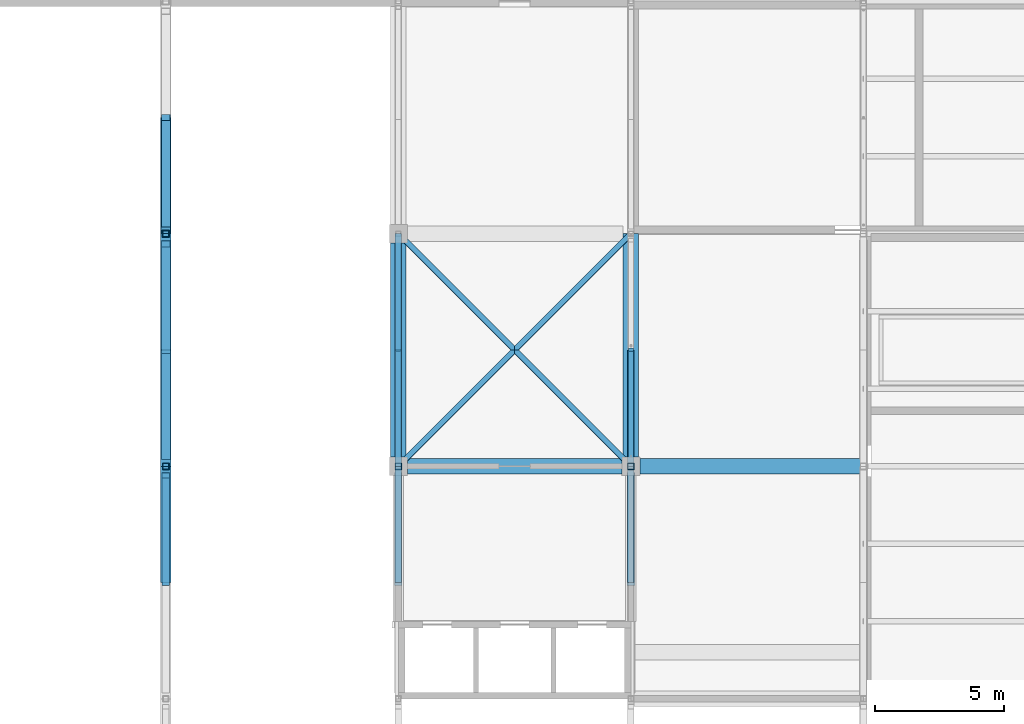
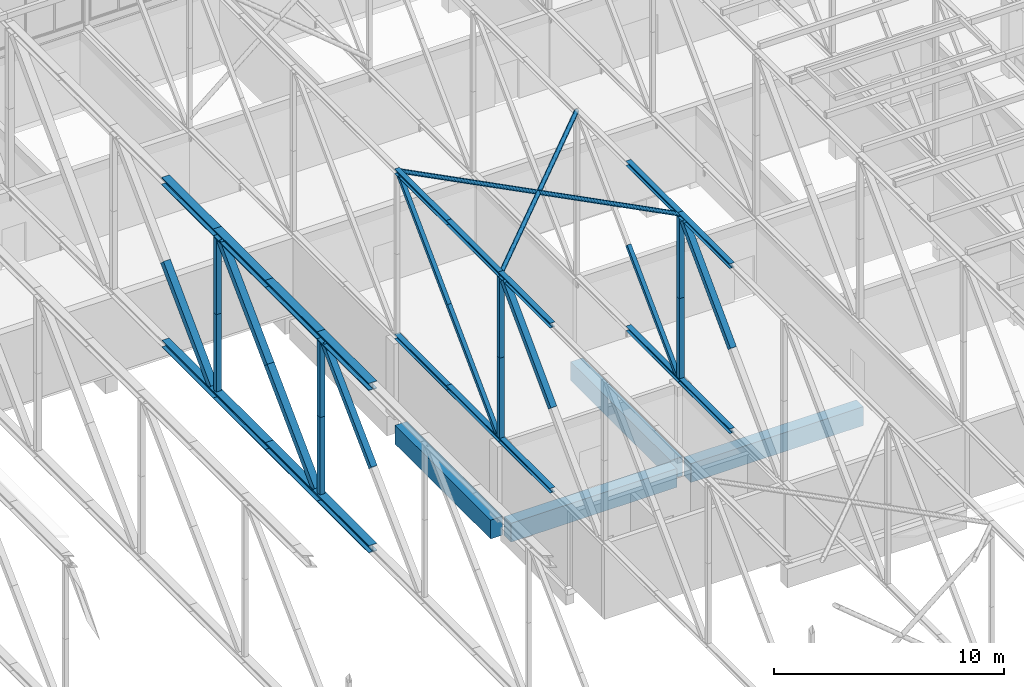
# One storey, part 78 of 646: 39 members, 4 beams.
"""IFC4 building model written with IfcOpenShell, lengths in metres."""

from ifc_helpers import new_model, si_unit, direction, frame, origin, origin_2d, place, context, subcontext, project, spatial, rectangle, hollow_rectangle, hollow_circle, i_section, extrude, material, material_profile, profile_set, type_object, element, save


model = new_model("IFC4")

# Units and contexts
model_context = context("Model", 3, precision=1e-05, world=origin(), true_north=direction((0.0, 1.0)))
body_context = subcontext(model_context, "Body", "Model", "MODEL_VIEW")
ifc_project = project(units=[si_unit("LENGTHUNIT", "METRE"), si_unit("AREAUNIT", "SQUARE_METRE"), si_unit("VOLUMEUNIT", "CUBIC_METRE"), si_unit("PLANEANGLEUNIT", "RADIAN"), si_unit("MASSUNIT", "GRAM", prefix="KILO")], contexts=[model_context])

# Site, building, storey
site_placement = place(None, origin())
site = spatial("IfcSite", under=ifc_project, at=site_placement, CompositionType="ELEMENT")
building_placement = place(site_placement, origin())
building = spatial("IfcBuilding", under=site, at=building_placement, Name="Silverbay Arena", CompositionType="ELEMENT")
storey_placement = place(building_placement, frame((0.0, 0.0, 33.5)))
storey = spatial("IfcBuildingStorey", under=building, at=storey_placement, Name="L05", CompositionType="ELEMENT", Elevation=33.5)

# Members
ifc_material_1 = material(Name="Steel S355", Category="steel")
ifc_material_profile_1 = material_profile(ifc_material_1, i_section(OverallWidth=0.37255859375, OverallDepth=0.3681640625, WebThickness=0.014404296875, FlangeThickness=0.023681640625, at=origin_2d()), Name="UC 356x368x177")
ifc_profile_set_1 = profile_set([ifc_material_profile_1], Name="Steel S355")
member_type_1 = type_object("IfcMemberType", Name="Main-span bottom chord UC 356x368x177", PredefinedType="CHORD", material=ifc_profile_set_1)
member_1_placement = place(storey_placement, frame((153.0, 117.0, 4.18408203125), z_axis=(0.0, 1.0, 0.0), x_axis=(-1.0, 0.0, 0.0)))
element("IfcMember", 1, at=member_1_placement, inside=storey, type_object=member_type_1, Name="ROOF TRUSS 18 bottom chord 13a", PredefinedType="CHORD", context=body_context, shape_type="SweptSolid", body=[
    extrude(i_section(OverallWidth=0.37255859375, OverallDepth=0.3681640625, WebThickness=0.014404296875, FlangeThickness=0.023681640625, at=origin_2d()), origin(), (0.0, 0.0, 1.0), 4.5),
])
ifc_material_2 = material(Name="Steel S355", Category="steel")
ifc_material_profile_2 = material_profile(ifc_material_2, i_section(OverallWidth=0.403076171875, OverallDepth=0.406494140625, WebThickness=0.026611328125, FlangeThickness=0.04296875, at=origin_2d()), Name="UC 356x406x340")
ifc_profile_set_2 = profile_set([ifc_material_profile_2], Name="Steel S355")
member_type_2 = type_object("IfcMemberType", Name="Main-span bottom chord UC 356x406x340", PredefinedType="CHORD", material=ifc_profile_set_2)
for number, where, z_axis, x_axis, name in (
    (2, (153.0, 103.5, 4.203125), (0.0, 1.0, 0.0), (-1.0, 0.0, 0.0), "ROOF TRUSS 18 bottom chord 11b"),
    (3, (153.0, 108.0, 4.203125), (0.0, 1.0, 0.0), (-1.0, 0.0, 0.0), "ROOF TRUSS 18 bottom chord 12a"),
    (4, (153.0, 112.5, 4.203125), (0.0, 1.0, 0.0), (-1.0, 0.0, 0.0), "ROOF TRUSS 18 bottom chord 12b"),
):
    element("IfcMember", number, at=place(storey_placement, frame(where, z_axis=z_axis, x_axis=x_axis)), inside=storey, type_object=member_type_2, Name=name, PredefinedType="CHORD", context=body_context, shape_type="SweptSolid", body=[
        extrude(i_section(OverallWidth=0.403076171875, OverallDepth=0.406494140625, WebThickness=0.026611328125, FlangeThickness=0.04296875, at=origin_2d()), origin(), (0.0, 0.0, 1.0), 4.5),
    ])
ifc_material_3 = material(Name="Steel S355", Category="steel")
ifc_material_profile_3 = material_profile(ifc_material_3, i_section(OverallWidth=0.39892578125, OverallDepth=0.3935546875, WebThickness=0.022705078125, FlangeThickness=0.03662109375, at=origin_2d()), Name="UC 356x406x287")
ifc_profile_set_3 = profile_set([ifc_material_profile_3], Name="Steel S355")
member_type_3 = type_object("IfcMemberType", Name="Main-span top chord UC 356x406x287", PredefinedType="CHORD", material=ifc_profile_set_3)
member_2_placement = place(storey_placement, frame((153.0, 117.0, 12.80322265625), z_axis=(0.0, 1.0, 0.0), x_axis=(-1.0, 0.0, 0.0)))
element("IfcMember", 5, at=member_2_placement, inside=storey, type_object=member_type_3, Name="ROOF TRUSS 18 top chord 13a", PredefinedType="CHORD", context=body_context, shape_type="SweptSolid", body=[
    extrude(i_section(OverallWidth=0.39892578125, OverallDepth=0.3935546875, WebThickness=0.022705078125, FlangeThickness=0.03662109375, at=origin_2d()), origin(), (0.0, 0.0, 1.0), 4.5),
])
ifc_material_4 = material(Name="Steel S355", Category="steel")
ifc_material_profile_4 = material_profile(ifc_material_4, i_section(OverallWidth=0.403076171875, OverallDepth=0.406494140625, WebThickness=0.026611328125, FlangeThickness=0.04296875, at=origin_2d()), Name="UC 356x406x340")
ifc_profile_set_4 = profile_set([ifc_material_profile_4], Name="Steel S355")
member_type_4 = type_object("IfcMemberType", Name="Main-span top chord UC 356x406x340", PredefinedType="CHORD", material=ifc_profile_set_4)
for number, where, z_axis, x_axis, name in (
    (6, (153.0, 103.5, 12.796875), (0.0, 1.0, 0.0), (-1.0, 0.0, 0.0), "ROOF TRUSS 18 top chord 11b"),
    (7, (153.0, 108.0, 12.796875), (0.0, 1.0, 0.0), (-1.0, 0.0, 0.0), "ROOF TRUSS 18 top chord 12a"),
    (8, (153.0, 112.5, 12.796875), (0.0, 1.0, 0.0), (-1.0, 0.0, 0.0), "ROOF TRUSS 18 top chord 12b"),
):
    element("IfcMember", number, at=place(storey_placement, frame(where, z_axis=z_axis, x_axis=x_axis)), inside=storey, type_object=member_type_4, Name=name, PredefinedType="CHORD", context=body_context, shape_type="SweptSolid", body=[
        extrude(i_section(OverallWidth=0.403076171875, OverallDepth=0.406494140625, WebThickness=0.026611328125, FlangeThickness=0.04296875, at=origin_2d()), origin(), (0.0, 0.0, 1.0), 4.5),
    ])
ifc_material_5 = material(Name="Steel S355", Category="steel")
ifc_material_profile_5 = material_profile(ifc_material_5, hollow_rectangle(XDim=0.300048828125, YDim=0.300048828125, WallThickness=0.012451171875, at=origin_2d()), Name="SHS 300x300x12.5")
ifc_profile_set_5 = profile_set([ifc_material_profile_5], Name="Steel S355")
member_type_5 = type_object("IfcMemberType", Name="Main-span truss diagonal SHS 300x300x12.5", PredefinedType="BRACE", material=ifc_profile_set_5)
member_3_placement = place(storey_placement, frame((153.0, 107.652099609375, 12.593505859375), z_axis=(0.0, -0.712752446816, -0.701415675301), x_axis=(1.0, 0.0, 0.0)))
element("IfcMember", 9, at=member_3_placement, inside=storey, type_object=member_type_5, Name="ROOF TRUSS 18 diagonal 11a", PredefinedType="BRACE", context=body_context, shape_type="SweptSolid", body=[
    extrude(hollow_rectangle(XDim=0.300048828125, YDim=0.300048828125, WallThickness=0.012451171875, at=origin_2d()), origin(), (0.0, 0.0, 1.0), 5.836181640625),
])
ifc_material_6 = material(Name="Steel S355", Category="steel")
ifc_material_profile_6 = material_profile(ifc_material_6, hollow_rectangle(XDim=0.35009765625, YDim=0.35009765625, WallThickness=0.012451171875, at=origin_2d()), Name="SHS 350x350x12.5")
ifc_profile_set_6 = profile_set([ifc_material_profile_6], Name="Steel S355")
member_type_6 = type_object("IfcMemberType", Name="Main-span truss diagonal SHS 350x350x12.5", PredefinedType="BRACE", material=ifc_profile_set_6)
for number, where, z_axis, x_axis, name in (
    (10, (153.0, 116.60986328125, 12.593505859375), (0.0, -0.708724844097, -0.705485007182), (1.0, 0.0, 0.0), "ROOF TRUSS 18 diagonal 12a"),
    (11, (153.0, 112.49755859375, 8.5), (0.0, -0.708745784671, -0.705463969818), (1.0, 0.0, 0.0), "ROOF TRUSS 18 diagonal 12b"),
):
    element("IfcMember", number, at=place(storey_placement, frame(where, z_axis=z_axis, x_axis=x_axis)), inside=storey, type_object=member_type_6, Name=name, PredefinedType="BRACE", context=body_context, shape_type="SweptSolid", body=[
        extrude(hollow_rectangle(XDim=0.35009765625, YDim=0.35009765625, WallThickness=0.012451171875, at=origin_2d()), origin(), (0.0, 0.0, 1.0), 5.802490234375),
    ])
ifc_material_7 = material(Name="Steel S355", Category="steel")
ifc_material_profile_7 = material_profile(ifc_material_7, hollow_rectangle(XDim=0.35009765625, YDim=0.35009765625, WallThickness=0.01416015625, at=origin_2d()), Name="SHS 350x350x14.2")
ifc_profile_set_7 = profile_set([ifc_material_profile_7], Name="Steel S355")
member_type_7 = type_object("IfcMemberType", Name="Main-span truss diagonal SHS 350x350x14.2", PredefinedType="BRACE", material=ifc_profile_set_7)
member_4_placement = place(storey_placement, frame((153.0, 121.5, 8.4873046875), z_axis=(0.0, -0.706393232016, -0.707819611033), x_axis=(1.0, 0.0, 0.0)))
element("IfcMember", 12, at=member_4_placement, inside=storey, type_object=member_type_7, Name="ROOF TRUSS 18 diagonal 13b", PredefinedType="BRACE", context=body_context, shape_type="SweptSolid", body=[
    extrude(hollow_rectangle(XDim=0.35009765625, YDim=0.35009765625, WallThickness=0.01416015625, at=origin_2d()), origin(), (0.0, 0.0, 1.0), 5.819580078125),
])
ifc_material_8 = material(Name="Steel S355", Category="steel")
ifc_material_profile_8 = material_profile(ifc_material_8, hollow_rectangle(XDim=0.25, YDim=0.25, WallThickness=0.010009765625, at=origin_2d()), Name="SHS 250x250x10")
ifc_profile_set_8 = profile_set([ifc_material_profile_8], Name="Steel S355")
member_type_8 = type_object("IfcMemberType", Name="Main-span truss vertical SHS 250x250x10", PredefinedType="STRUT", material=ifc_profile_set_8)
for number, where, z_axis, x_axis, name in (
    (13, (153.0, 108.0, 4.406494140625), (0.0, 0.0, 1.0), (1.0, 0.0, 0.0), "ROOF TRUSS 18 vertical 12a"),
    (14, (153.0, 108.0, 8.5), (0.0, 0.0, 1.0), (1.0, 0.0, 0.0), "ROOF TRUSS 18 vertical 12b"),
):
    element("IfcMember", number, at=place(storey_placement, frame(where, z_axis=z_axis, x_axis=x_axis)), inside=storey, type_object=member_type_8, Name=name, PredefinedType="STRUT", context=body_context, shape_type="SweptSolid", body=[
        extrude(hollow_rectangle(XDim=0.25, YDim=0.25, WallThickness=0.010009765625, at=origin_2d()), origin(), (0.0, 0.0, 1.0), 4.093505859375),
    ])
ifc_material_9 = material(Name="Steel S355", Category="steel")
ifc_material_profile_9 = material_profile(ifc_material_9, hollow_rectangle(XDim=0.260009765625, YDim=0.260009765625, WallThickness=0.010009765625, at=origin_2d()), Name="SHS 260x260x10")
ifc_profile_set_9 = profile_set([ifc_material_profile_9], Name="Steel S355")
member_type_9 = type_object("IfcMemberType", Name="Main-span truss vertical SHS 260x260x10", PredefinedType="STRUT", material=ifc_profile_set_9)
for number, where, z_axis, x_axis, name in (
    (15, (153.0, 117.0, 4.406494140625), (0.0, 0.0, 1.0), (1.0, 0.0, 0.0), "ROOF TRUSS 18 vertical 13a"),
    (16, (153.0, 117.0, 8.5), (0.0, 0.0, 1.0), (1.0, 0.0, 0.0), "ROOF TRUSS 18 vertical 13b"),
):
    element("IfcMember", number, at=place(storey_placement, frame(where, z_axis=z_axis, x_axis=x_axis)), inside=storey, type_object=member_type_9, Name=name, PredefinedType="STRUT", context=body_context, shape_type="SweptSolid", body=[
        extrude(hollow_rectangle(XDim=0.260009765625, YDim=0.260009765625, WallThickness=0.010009765625, at=origin_2d()), origin(), (0.0, 0.0, 1.0), 4.093505859375),
    ])
ifc_material_10 = material(Name="Steel S355", Category="steel")
ifc_material_profile_10 = material_profile(ifc_material_10, i_section(OverallWidth=0.254638671875, OverallDepth=0.254150390625, WebThickness=0.008544921875, FlangeThickness=0.01416015625, at=origin_2d()), Name="UC 254x254x73")
ifc_profile_set_10 = profile_set([ifc_material_profile_10], Name="Steel S355")
member_type_10 = type_object("IfcMemberType", Name="Medium-span bottom chord UC 254x254x73", PredefinedType="CHORD", material=ifc_profile_set_10)
for number, where, z_axis, x_axis, name in (
    (17, (162.0, 103.5, 4.126953125), (0.0, 1.0, 0.0), (-1.0, 0.0, 0.0), "ROOF TRUSS 19 bottom chord 11b"),
    (18, (162.0, 108.0, 4.126953125), (0.0, 1.0, 0.0), (-1.0, 0.0, 0.0), "ROOF TRUSS 19 bottom chord 12a"),
    (19, (162.0, 112.5, 4.126953125), (0.0, 1.0, 0.0), (-1.0, 0.0, 0.0), "ROOF TRUSS 19 bottom chord 12b"),
    (20, (171.0, 103.5, 4.126953125), (0.0, 1.0, 0.0), (-1.0, 0.0, 0.0), "ROOF TRUSS 20 bottom chord 11b"),
    (21, (171.0, 108.0, 4.126953125), (0.0, 1.0, 0.0), (-1.0, 0.0, 0.0), "ROOF TRUSS 20 bottom chord 12a"),
):
    element("IfcMember", number, at=place(storey_placement, frame(where, z_axis=z_axis, x_axis=x_axis)), inside=storey, type_object=member_type_10, Name=name, PredefinedType="CHORD", context=body_context, shape_type="SweptSolid", body=[
        extrude(i_section(OverallWidth=0.254638671875, OverallDepth=0.254150390625, WebThickness=0.008544921875, FlangeThickness=0.01416015625, at=origin_2d()), origin(), (0.0, 0.0, 1.0), 4.5),
    ])
ifc_material_11 = material(Name="Steel S355", Category="steel")
ifc_material_profile_11 = material_profile(ifc_material_11, i_section(OverallWidth=0.254638671875, OverallDepth=0.254150390625, WebThickness=0.008544921875, FlangeThickness=0.01416015625, at=origin_2d()), Name="UC 254x254x73")
ifc_profile_set_11 = profile_set([ifc_material_profile_11], Name="Steel S355")
member_type_11 = type_object("IfcMemberType", Name="Medium-span top chord UC 254x254x73", PredefinedType="CHORD", material=ifc_profile_set_11)
for number, where, z_axis, x_axis, name in (
    (22, (162.0, 103.5, 12.873046875), (0.0, 1.0, 0.0), (-1.0, 0.0, 0.0), "ROOF TRUSS 19 top chord 11b"),
    (23, (162.0, 108.0, 12.873046875), (0.0, 1.0, 0.0), (-1.0, 0.0, 0.0), "ROOF TRUSS 19 top chord 12a"),
    (24, (162.0, 112.5, 12.873046875), (0.0, 1.0, 0.0), (-1.0, 0.0, 0.0), "ROOF TRUSS 19 top chord 12b"),
    (25, (171.0, 103.5, 12.873046875), (0.0, 1.0, 0.0), (-1.0, 0.0, 0.0), "ROOF TRUSS 20 top chord 11b"),
    (26, (171.0, 108.0, 12.873046875), (0.0, 1.0, 0.0), (-1.0, 0.0, 0.0), "ROOF TRUSS 20 top chord 12a"),
):
    element("IfcMember", number, at=place(storey_placement, frame(where, z_axis=z_axis, x_axis=x_axis)), inside=storey, type_object=member_type_11, Name=name, PredefinedType="CHORD", context=body_context, shape_type="SweptSolid", body=[
        extrude(i_section(OverallWidth=0.254638671875, OverallDepth=0.254150390625, WebThickness=0.008544921875, FlangeThickness=0.01416015625, at=origin_2d()), origin(), (0.0, 0.0, 1.0), 4.5),
    ])
ifc_material_12 = material(Name="Steel S355", Category="steel")
ifc_material_profile_12 = material_profile(ifc_material_12, hollow_rectangle(XDim=0.199951171875, YDim=0.199951171875, WallThickness=0.008056640625, at=origin_2d()), Name="SHS 200x200x8")
ifc_profile_set_12 = profile_set([ifc_material_profile_12], Name="Steel S355")
member_type_12 = type_object("IfcMemberType", Name="Medium-span truss diagonal SHS 200x200x8", PredefinedType="BRACE", material=ifc_profile_set_12)
for number, where, z_axis, x_axis, name in (
    (27, (162.0, 116.75439453125, 12.745849609375), (0.0, -0.706781281828, -0.707432130778), (1.0, 0.0, 0.0), "ROOF TRUSS 19 diagonal 12a"),
    (28, (162.0, 112.512451171875, 8.5), (0.0, -0.7067609232, -0.707452470091), (1.0, 0.0, 0.0), "ROOF TRUSS 19 diagonal 12b"),
    (29, (171.0, 112.512451171875, 8.5), (0.0, -0.7067609232, -0.707452470091), (1.0, 0.0, 0.0), "ROOF TRUSS 20 diagonal 12b"),
):
    element("IfcMember", number, at=place(storey_placement, frame(where, z_axis=z_axis, x_axis=x_axis)), inside=storey, type_object=member_type_12, Name=name, PredefinedType="BRACE", context=body_context, shape_type="SweptSolid", body=[
        extrude(hollow_rectangle(XDim=0.199951171875, YDim=0.199951171875, WallThickness=0.008056640625, at=origin_2d()), origin(), (0.0, 0.0, 1.0), 6.001708984375),
    ])
ifc_material_13 = material(Name="Steel S355", Category="steel")
ifc_material_profile_13 = material_profile(ifc_material_13, hollow_rectangle(XDim=0.300048828125, YDim=0.300048828125, WallThickness=0.012451171875, at=origin_2d()), Name="SHS 300x300x12.5")
ifc_profile_set_13 = profile_set([ifc_material_profile_13], Name="Steel S355")
member_type_13 = type_object("IfcMemberType", Name="Medium-span truss diagonal SHS 300x300x12.5", PredefinedType="BRACE", material=ifc_profile_set_13)
for number, where, z_axis, x_axis, name in (
    (30, (162.0, 107.656494140625, 12.745849609375), (0.0, -0.700196997117, -0.713949693766), (1.0, 0.0, 0.0), "ROOF TRUSS 19 diagonal 11a"),
    (31, (171.0, 107.656494140625, 12.745849609375), (0.0, -0.700196997117, -0.713949693766), (1.0, 0.0, 0.0), "ROOF TRUSS 20 diagonal 11a"),
):
    element("IfcMember", number, at=place(storey_placement, frame(where, z_axis=z_axis, x_axis=x_axis)), inside=storey, type_object=member_type_13, Name=name, PredefinedType="BRACE", context=body_context, shape_type="SweptSolid", body=[
        extrude(hollow_rectangle(XDim=0.300048828125, YDim=0.300048828125, WallThickness=0.012451171875, at=origin_2d()), origin(), (0.0, 0.0, 1.0), 5.947021484375),
    ])
ifc_material_14 = material(Name="Steel S355", Category="steel")
ifc_material_profile_14 = material_profile(ifc_material_14, hollow_rectangle(XDim=0.25, YDim=0.25, WallThickness=0.010009765625, at=origin_2d()), Name="SHS 250x250x10")
ifc_profile_set_14 = profile_set([ifc_material_profile_14], Name="Steel S355")
member_type_14 = type_object("IfcMemberType", Name="Medium-span truss vertical SHS 250x250x10", PredefinedType="STRUT", material=ifc_profile_set_14)
for number, where, z_axis, x_axis, name in (
    (32, (162.0, 108.0, 4.254150390625), (0.0, 0.0, 1.0), (1.0, 0.0, 0.0), "ROOF TRUSS 19 vertical 12a"),
    (33, (162.0, 108.0, 8.5), (0.0, 0.0, 1.0), (1.0, 0.0, 0.0), "ROOF TRUSS 19 vertical 12b"),
    (34, (171.0, 108.0, 4.254150390625), (0.0, 0.0, 1.0), (1.0, 0.0, 0.0), "ROOF TRUSS 20 vertical 12a"),
    (35, (171.0, 108.0, 8.5), (0.0, 0.0, 1.0), (1.0, 0.0, 0.0), "ROOF TRUSS 20 vertical 12b"),
):
    element("IfcMember", number, at=place(storey_placement, frame(where, z_axis=z_axis, x_axis=x_axis)), inside=storey, type_object=member_type_14, Name=name, PredefinedType="STRUT", context=body_context, shape_type="SweptSolid", body=[
        extrude(hollow_rectangle(XDim=0.25, YDim=0.25, WallThickness=0.010009765625, at=origin_2d()), origin(), (0.0, 0.0, 1.0), 4.245849609375),
    ])
ifc_material_15 = material(Name="Steel S355", Category="steel")
ifc_material_profile_15 = material_profile(ifc_material_15, hollow_circle(Radius=0.109619140625, WallThickness=0.00634765625, at=origin_2d()), Name="CHS 219.1x6.3")
ifc_profile_set_15 = profile_set([ifc_material_profile_15], Name="Steel S355")
member_type_15 = type_object("IfcMemberType", Name="Plan bracing CHS 219.1x6.3", PredefinedType="BRACE", material=ifc_profile_set_15)
for number, where, z_axis, x_axis, name in (
    (36, (162.0, 108.0, 12.873046875), (0.707106781187, 0.707106781187, 0.0), (-0.707106781187, 0.707106781187, 0.0), "ROOF BRACING top 19-20 panel 12 Aa"),
    (37, (166.5, 112.5, 12.873046875), (0.707106781187, 0.707106781187, 0.0), (-0.707106781187, 0.707106781187, 0.0), "ROOF BRACING top 19-20 panel 12 Ab"),
    (38, (162.0, 117.0, 12.873046875), (0.707106781187, -0.707106781187, 0.0), (0.707106781187, 0.707106781187, 0.0), "ROOF BRACING top 19-20 panel 12 Ba"),
    (39, (166.5, 112.5, 12.873046875), (0.707106781187, -0.707106781187, 0.0), (0.707106781187, 0.707106781187, 0.0), "ROOF BRACING top 19-20 panel 12 Bb"),
):
    element("IfcMember", number, at=place(storey_placement, frame(where, z_axis=z_axis, x_axis=x_axis)), inside=storey, type_object=member_type_15, Name=name, PredefinedType="BRACE", context=body_context, shape_type="SweptSolid", body=[
        extrude(hollow_circle(Radius=0.109619140625, WallThickness=0.00634765625, at=origin_2d()), origin(), (0.0, 0.0, 1.0), 6.364013671875),
    ])

# Beams
ifc_material_16 = material(Name="Concrete Grade C45", Category="concrete")
ifc_material_profile_16 = material_profile(ifc_material_16, rectangle(XDim=0.60009765625, YDim=1.0, at=origin_2d()), Name="RC 600x1000")
ifc_profile_set_16 = profile_set([ifc_material_profile_16], Name="Concrete Grade C45")
beam_type = type_object("IfcBeamType", Name="RC beam 600x1000", PredefinedType="BEAM", material=ifc_profile_set_16)
beam_1_placement = place(storey_placement, frame((162.35009765625, 108.0, -0.800048828125), z_axis=(1.0, 0.0, 0.0), x_axis=(0.0, 1.0, 0.0)))
element("IfcBeam", 40, at=beam_1_placement, inside=storey, type_object=beam_type, Name="Floor beam L05 050", PredefinedType="BEAM", context=body_context, shape_type="SweptSolid", body=[
    extrude(rectangle(XDim=0.60009765625, YDim=1.0, at=origin_2d()), origin(), (0.0, 0.0, 1.0), 8.2998046875),
])
beam_2_placement = place(storey_placement, frame((171.35009765625, 108.0, -0.800048828125), z_axis=(1.0, 0.0, 0.0), x_axis=(0.0, 1.0, 0.0)))
element("IfcBeam", 41, at=beam_2_placement, inside=storey, type_object=beam_type, Name="Floor beam L05 051", PredefinedType="BEAM", context=body_context, shape_type="SweptSolid", body=[
    extrude(rectangle(XDim=0.60009765625, YDim=1.0, at=origin_2d()), origin(), (0.0, 0.0, 1.0), 8.64990234375),
])
beam_3_placement = place(storey_placement, frame((162.0, 108.35009765625, -0.800048828125), z_axis=(0.0, 1.0, 0.0), x_axis=(-1.0, 0.0, 0.0)))
element("IfcBeam", 42, at=beam_3_placement, inside=storey, type_object=beam_type, Name="Floor beam L05 126", PredefinedType="BEAM", context=body_context, shape_type="SweptSolid", body=[
    extrude(rectangle(XDim=0.60009765625, YDim=1.0, at=origin_2d()), origin(), (0.0, 0.0, 1.0), 8.2998046875),
])
beam_4_placement = place(storey_placement, frame((171.0, 108.35009765625, -0.800048828125), z_axis=(0.0, 1.0, 0.0), x_axis=(-1.0, 0.0, 0.0)))
element("IfcBeam", 43, at=beam_4_placement, inside=storey, type_object=beam_type, Name="Floor beam L05 135", PredefinedType="BEAM", context=body_context, shape_type="SweptSolid", body=[
    extrude(rectangle(XDim=0.60009765625, YDim=1.0, at=origin_2d()), origin(), (0.0, 0.0, 1.0), 8.64990234375),
])

save(model, "model.ifc")
